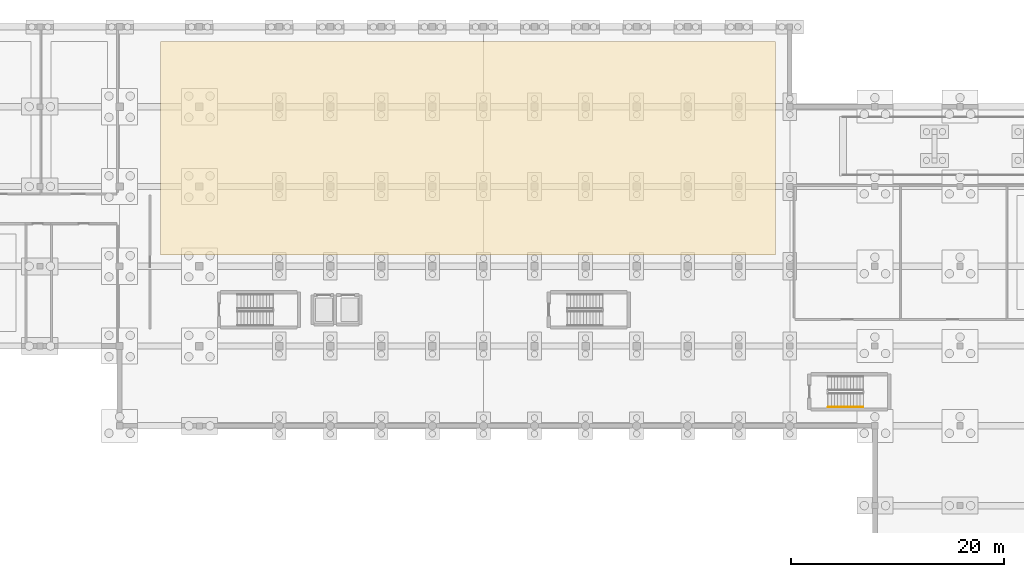
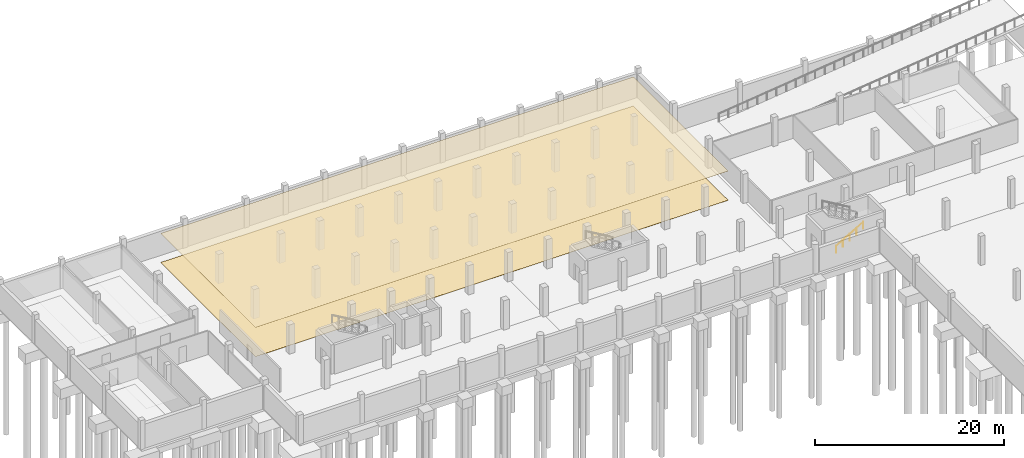
# One storey, part 14 of 17: 2 coverings, 1 railing.
"""IFC4 building model written with IfcOpenShell, lengths in metres."""

import ifcopenshell
import ifcopenshell.guid

model = None  # the IFC model being written
_history = None  # IfcOwnerHistory: only IFC2X3 demands one
_inside = {}  # id of a spatial element -> (the spatial element, [elements in it])
_under = {}  # id of a project, library or spatial element -> (it, [spatial elements below it])
_declared = {}  # id of a project -> (the project, [libraries it declares])
_typed = {}  # id of a type object -> (the type object, [elements of that type])
_made_of = {}  # id of a material, layer set ... -> (it, [elements and type objects made of it])


def new_model(schema):
    """Start an empty IFC model of exactly this schema.

    Asked for "IFC4X3", IfcOpenShell would pick the latest addendum, in which some entities
    have other attributes; the version numbers below select the first issue.
    IFC2X3 requires an IfcOwnerHistory on every rooted entity: one is made here for all.
    """
    global model, _history
    if schema == "IFC4X3":
        model = ifcopenshell.file(schema_version=(4, 3, 0, 0))
    else:
        model = ifcopenshell.file(schema=schema)
    _inside.clear()
    _under.clear()
    _declared.clear()
    _typed.clear()
    _made_of.clear()
    _history = None
    if model.schema == "IFC2X3":
        org = make("IfcOrganization", Name="unknown")
        user = make(
            "IfcPersonAndOrganization",
            ThePerson=make("IfcPerson", FamilyName="unknown"),
            TheOrganization=org,
        )
        app = make(
            "IfcApplication",
            ApplicationDeveloper=org,
            Version="unknown",
            ApplicationFullName="unknown",
            ApplicationIdentifier="unknown",
        )
        _history = make(
            "IfcOwnerHistory",
            OwningUser=user,
            OwningApplication=app,
            ChangeAction="ADDED",
            CreationDate=0,
        )
    return model


def make(cls, **values):
    """One entity of the class cls with the attributes given. An attribute that is None is left unset."""
    return model.create_entity(
        cls, **{name: value for name, value in values.items() if value is not None}
    )


def rooted(cls, **values):
    """An entity with a GlobalId (a new one), such as an element, a storey or a relation."""
    return make(cls, GlobalId=ifcopenshell.guid.new(), OwnerHistory=_history, **values)


def si_unit(unit_type, name, prefix=None):
    """IfcSIUnit, for example si_unit("LENGTHUNIT", "METRE", prefix="MILLI")."""
    return make("IfcSIUnit", UnitType=unit_type, Prefix=prefix, Name=name)


def assignment(units):
    """IfcUnitAssignment: the units of a project."""
    return None if units is None else make("IfcUnitAssignment", Units=units)


def point(xyz):
    """IfcCartesianPoint."""
    return None if xyz is None else make("IfcCartesianPoint", Coordinates=xyz)


def direction(xyz):
    """IfcDirection."""
    return None if xyz is None else make("IfcDirection", DirectionRatios=xyz)


def frame(location, z_axis=None, x_axis=None):
    """IfcAxis2Placement3D, a coordinate frame: its origin and axes. An axis left out is left unset."""
    return make(
        "IfcAxis2Placement3D",
        Location=point(location),
        Axis=direction(z_axis),
        RefDirection=direction(x_axis),
    )


def frame_2d(location, x_axis=None):
    """IfcAxis2Placement2D, a coordinate frame in the plane: its origin and x axis."""
    return make(
        "IfcAxis2Placement2D", Location=point(location), RefDirection=direction(x_axis)
    )


def origin():
    """The frame at (0, 0, 0) with its axes left unset."""
    return frame((0.0, 0.0, 0.0))


def origin_2d():
    """The frame at (0, 0) in the plane with its x axis left unset."""
    return frame_2d((0.0, 0.0))


def place(relative_to, where):
    """IfcLocalPlacement: puts the frame where relative to a parent placement (None: the world)."""
    return make(
        "IfcLocalPlacement", PlacementRelTo=relative_to, RelativePlacement=where
    )


def context(
    kind, dimensions, precision=None, world=None, true_north=None, identifier=None
):
    """IfcGeometricRepresentationContext, for example the 3D "Model" context."""
    return make(
        "IfcGeometricRepresentationContext",
        ContextIdentifier=identifier,
        ContextType=kind,
        CoordinateSpaceDimension=dimensions,
        Precision=precision,
        WorldCoordinateSystem=world,
        TrueNorth=true_north,
    )


def subcontext(parent, identifier, kind, view, scale=None):
    """IfcGeometricRepresentationSubContext, for example "Body" below "Model"."""
    return make(
        "IfcGeometricRepresentationSubContext",
        ContextIdentifier=identifier,
        ContextType=kind,
        ParentContext=parent,
        TargetScale=scale,
        TargetView=view,
    )


def project(units=None, contexts=None):
    """IfcProject with its units and contexts."""
    return rooted(
        "IfcProject",
        Name="project",
        RepresentationContexts=contexts,
        UnitsInContext=assignment(units),
    )


def spatial(cls, under=None, at=None, **own):
    """A site, building, storey or space (cls), placed at a placement, below another one or the project."""
    s = rooted(cls, ObjectPlacement=at, **own)
    if under is not None:
        _under.setdefault(under.id(), (under, []))[1].append(s)
    return s


def polyline(points):
    """IfcPolyline through the points."""
    return make("IfcPolyline", Points=[point(p) for p in points])


def profile(cls, at=None, kind="AREA", **sizes):
    """A parametric profile (cls). Its sizes go by their IFC names, for example OverallWidth=200.0."""
    return make(cls, ProfileType=kind, Position=at, **sizes)


def circle(**sizes):
    """IfcCircleProfileDef."""
    return profile("IfcCircleProfileDef", **sizes)


def outline(outer, holes=None, kind="AREA"):
    """IfcArbitraryClosedProfileDef: a profile drawn as a closed curve; with holes, ...WithVoids."""
    if holes is None:
        return make("IfcArbitraryClosedProfileDef", ProfileType=kind, OuterCurve=outer)
    return make(
        "IfcArbitraryProfileDefWithVoids",
        ProfileType=kind,
        OuterCurve=outer,
        InnerCurves=holes,
    )


def extrude(swept, where, along, depth):
    """IfcExtrudedAreaSolid: the profile swept, set in the frame where, extruded along a direction by depth."""
    return make(
        "IfcExtrudedAreaSolid",
        SweptArea=swept,
        Position=where,
        ExtrudedDirection=direction(along),
        Depth=depth,
    )


def shape(context_of_items, identifier, shape_type, items):
    """IfcShapeRepresentation: the items that make up one representation, for example the "Body"."""
    return make(
        "IfcShapeRepresentation",
        ContextOfItems=context_of_items,
        RepresentationIdentifier=identifier,
        RepresentationType=shape_type,
        Items=items,
    )


def material(Name=None, Category=None):
    """IfcMaterial."""
    return make("IfcMaterial", Name=Name, Category=Category)


def layer(
    of_material, thickness, ventilated=None, Name=None, Category=None, Priority=None
):
    """IfcMaterialLayer: one layer of a wall or slab, of a material (None: an air gap)."""
    return make(
        "IfcMaterialLayer",
        Material=of_material,
        LayerThickness=thickness,
        IsVentilated=ventilated,
        Name=Name,
        Category=Category,
        Priority=Priority,
    )


def layer_set(layers, Name=None):
    """IfcMaterialLayerSet."""
    return make("IfcMaterialLayerSet", MaterialLayers=layers, LayerSetName=Name)


def made_of(thing, what):
    """Note that an element or type object is made of a material, layer set ...; save() writes the relation."""
    if what is not None:
        _made_of.setdefault(what.id(), (what, []))[1].append(thing)
    return thing


def type_object(cls, material=None, **own):
    """A type object (cls), such as IfcWallType, which elements share."""
    return made_of(rooted(cls, **own), material)


def element(
    cls,
    number,
    at=None,
    inside=None,
    cuts=None,
    type_object=None,
    material=None,
    context=None,
    identifier="Body",
    shape_type=None,
    held_by="IfcProductDefinitionShape",
    body=None,
    shapes=None,
    **own,
):
    """One element of the class cls, such as IfcWall. Its Tag is "e" and its number.

    at: its placement. inside: the storey or other place that contains it. cuts: it is an
    opening in that element (IfcRelVoidsElement). A single representation is given by context,
    identifier, shape_type and body (its items); several are given by shapes. held_by: the class
    of the entity that holds the representations. save() writes the other relations.
    """
    e = rooted(cls, Tag="e%d" % number, ObjectPlacement=at, **own)
    if body is not None:
        shapes = [shape(context, identifier, shape_type, body)]
    if shapes is not None:
        e.Representation = make(held_by, Representations=shapes)
    if inside is not None:
        _inside.setdefault(inside.id(), (inside, []))[1].append(e)
    if cuts is not None:
        rooted(
            "IfcRelVoidsElement", RelatingBuildingElement=cuts, RelatedOpeningElement=e
        )
    if type_object is not None:
        _typed.setdefault(type_object.id(), (type_object, []))[1].append(e)
    return made_of(e, material)


def aggregate(whole, parts):
    """IfcRelAggregates: a whole, such as a stair, and the parts it consists of."""
    return rooted("IfcRelAggregates", RelatingObject=whole, RelatedObjects=parts)


def save(model, path):
    """Write the relations noted so far, then the file.

    IfcRelAggregates (storeys below a building ...), IfcRelContainedInSpatialStructure (elements
    in a storey), IfcRelDefinesByType, IfcRelAssociatesMaterial and IfcRelDeclares: one each for
    every whole, place, type object, material and project.
    """
    for whole, parts in _under.values():
        aggregate(whole, parts)
    for where, things in _inside.values():
        rooted(
            "IfcRelContainedInSpatialStructure",
            RelatedElements=things,
            RelatingStructure=where,
        )
    for kind, things in _typed.values():
        rooted("IfcRelDefinesByType", RelatedObjects=things, RelatingType=kind)
    for what, things in _made_of.values():
        rooted("IfcRelAssociatesMaterial", RelatedObjects=things, RelatingMaterial=what)
    for by, libraries in _declared.values():
        rooted("IfcRelDeclares", RelatingContext=by, RelatedDefinitions=libraries)
    model.write(path)


model = new_model("IFC4")

# Units and contexts
model_context = context("Model", 3, precision=1e-05, world=origin(), true_north=direction((0.0, 1.0)))
body_context = subcontext(model_context, "Body", "Model", "MODEL_VIEW")
ifc_project = project(units=[si_unit("LENGTHUNIT", "METRE"), si_unit("AREAUNIT", "SQUARE_METRE"), si_unit("VOLUMEUNIT", "CUBIC_METRE"), si_unit("PLANEANGLEUNIT", "RADIAN"), si_unit("MASSUNIT", "GRAM", prefix="KILO")], contexts=[model_context])

# Site, building, storey
site_placement = place(None, origin())
site = spatial("IfcSite", under=ifc_project, at=site_placement, CompositionType="ELEMENT")
building_placement = place(site_placement, origin())
building = spatial("IfcBuilding", under=site, at=building_placement, Name="Mawjan Specialist Oncology Clinic", CompositionType="ELEMENT")
storey_placement = place(building_placement, frame((0.0, 0.0, -4.199951171875)))
storey = spatial("IfcBuildingStorey", under=building, at=storey_placement, Name="B01", CompositionType="ELEMENT", Elevation=-4.199951171875)

# Coverings
ifc_material_1 = material(Name="Hygienic antimicrobial acoustic mineral ceiling tile", Category="gypsum")
ifc_layer_1 = layer(ifc_material_1, 0.02001953125, Name="Hygienic antimicrobial acoustic mineral ceiling tile", Category="gypsum")
ifc_layer_set_1 = layer_set([ifc_layer_1], Name="Hygienic antimicrobial acoustic mineral ceiling tile")
covering_type_1 = type_object("IfcCoveringType", Name="CLG-AC20", PredefinedType="CEILING", material=ifc_layer_set_1)
covering_1_placement = place(storey_placement, frame((0.0, 0.0, 3.7548828125)))
element("IfcCovering", 1, at=covering_1_placement, inside=storey, type_object=covering_type_1, Name="B01 Underground Staff and Accessible Parking Acoustic Ceiling", PredefinedType="CEILING", context=body_context, shape_type="SweptSolid", body=[
    extrude(outline(polyline([(106.64990234375, 111.949951171875), (106.64990234375, 91.85009765625), (48.85009765625, 91.85009765625), (48.85009765625, 111.949951171875), (106.64990234375, 111.949951171875)])), origin(), (0.0, 0.0, 1.0), 0.02001953125),
])
ifc_material_2 = material(Name="Seamless clinical anti-static homogeneous vinyl flooring", Category="plastic")
ifc_layer_2 = layer(ifc_material_2, 0.008056640625, Name="Seamless clinical anti-static homogeneous vinyl flooring", Category="plastic")
ifc_layer_set_2 = layer_set([ifc_layer_2], Name="Seamless clinical anti-static homogeneous vinyl flooring")
covering_type_2 = type_object("IfcCoveringType", Name="FLR-VN08", PredefinedType="FLOORING", material=ifc_layer_set_2)
covering_2_placement = place(storey_placement, origin())
element("IfcCovering", 2, at=covering_2_placement, inside=storey, type_object=covering_type_2, Name="B01 Underground Staff and Accessible Parking Clinical Vinyl Flooring", PredefinedType="FLOORING", context=body_context, shape_type="SweptSolid", body=[
    extrude(outline(polyline([(106.64990234375, 111.949951171875), (106.64990234375, 91.85009765625), (48.85009765625, 91.85009765625), (48.85009765625, 111.949951171875), (106.64990234375, 111.949951171875)])), origin(), (0.0, 0.0, 1.0), 0.008056640625),
])

# Railing
ifc_material_3 = material(Name="Brushed stainless-steel tubular handrail", Category="steel")
railing_type = type_object("IfcRailingType", Name="HR-090", PredefinedType="HANDRAIL", material=ifc_material_3)
railing_placement = place(storey_placement, frame((111.60009765625, 77.550048828125, 0.175048828125)))
element("IfcRailing", 3, at=railing_placement, inside=storey, type_object=railing_type, Name="B01 ST-08 stair handrail 1", PredefinedType="HANDRAIL", context=body_context, shape_type="SweptSolid", body=[
    extrude(circle(Radius=0.02392578125, at=origin_2d()), frame((0.0, 0.0, 0.8759765625), z_axis=(0.863788172461, 0.0, 0.503855131081), x_axis=(0.0, 1.0, 0.0)), (0.0, 0.0, 1.0), 3.820068359375),
    extrude(circle(Radius=0.02099609375, at=origin_2d()), origin(), (0.0, 0.0, 1.0), 0.851806640625),
    extrude(circle(Radius=0.02099609375, at=origin_2d()), frame((0.824951171875, 0.0, 0.481201171875)), (0.0, 0.0, 1.0), 0.851806640625),
    extrude(circle(Radius=0.02099609375, at=origin_2d()), frame((1.64990234375, 0.0, 0.96240234375)), (0.0, 0.0, 1.0), 0.851806640625),
    extrude(circle(Radius=0.02099609375, at=origin_2d()), frame((2.474853515625, 0.0, 1.443603515625)), (0.0, 0.0, 1.0), 0.851806640625),
    extrude(circle(Radius=0.02099609375, at=origin_2d()), frame((3.2998046875, 0.0, 1.9248046875)), (0.0, 0.0, 1.0), 0.851806640625),
])

save(model, "model.ifc")
